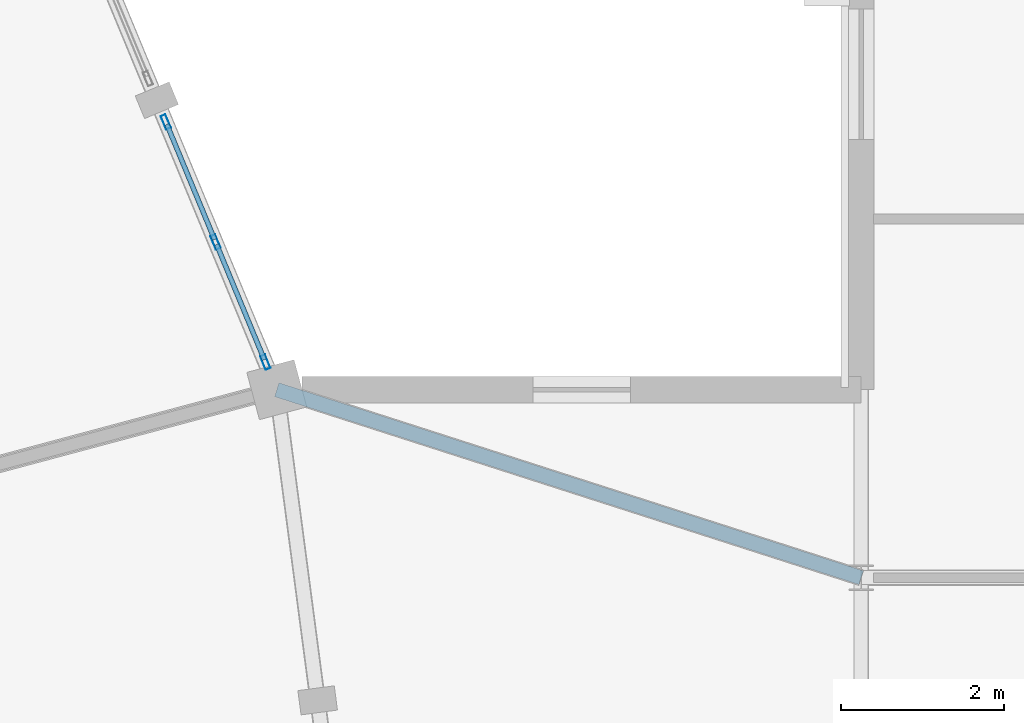
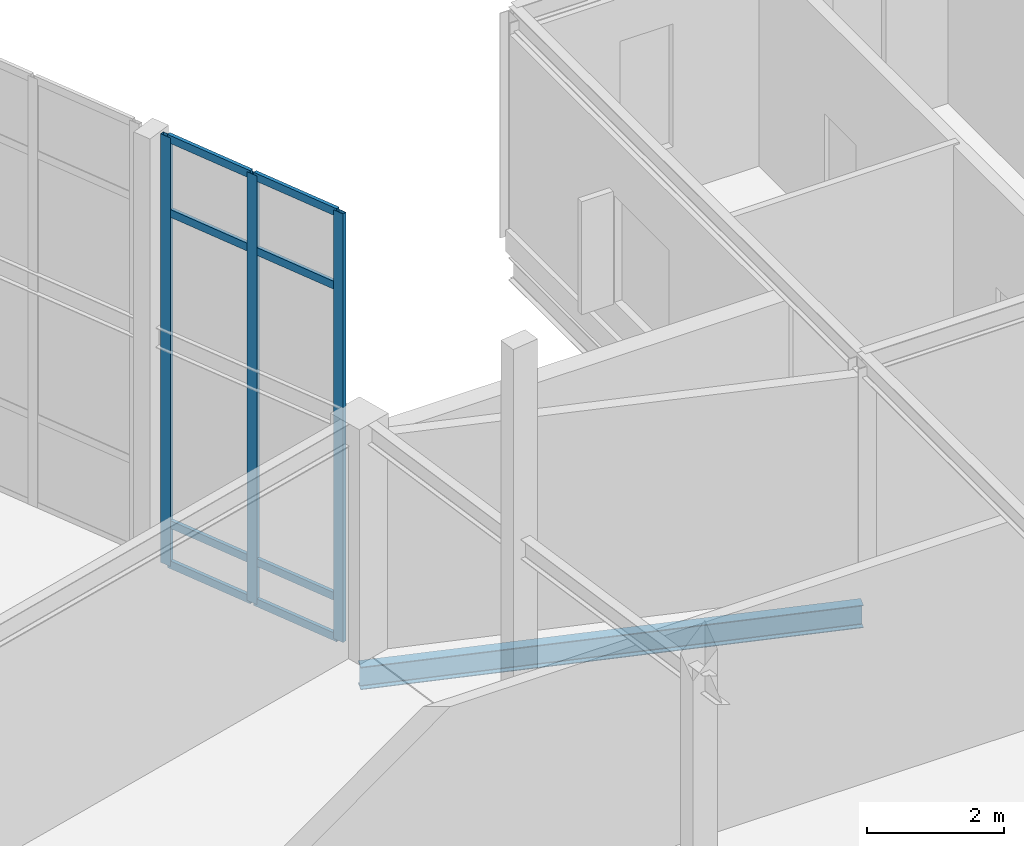
# One storey, part 124 of 185: 11 members, 1 beam, 1 element without a shape of its own.
"""IFC4 building model written with IfcOpenShell, lengths in metres."""

from ifc_helpers import new_model, si_unit, direction, frame, origin, origin_2d, place, context, subcontext, project, spatial, hollow_rectangle, i_section, extrude, material, material_profile, profile_set, type_object, element, aggregate, save


model = new_model("IFC4")

# Units and contexts
model_context = context("Model", 3, precision=1e-05, world=origin(), true_north=direction((0.0, 1.0)))
body_context = subcontext(model_context, "Body", "Model", "MODEL_VIEW")
ifc_project = project(units=[si_unit("LENGTHUNIT", "METRE"), si_unit("AREAUNIT", "SQUARE_METRE"), si_unit("VOLUMEUNIT", "CUBIC_METRE"), si_unit("PLANEANGLEUNIT", "RADIAN"), si_unit("MASSUNIT", "GRAM", prefix="KILO")], contexts=[model_context])

# Site, building, storey
site_placement = place(None, origin())
site = spatial("IfcSite", under=ifc_project, at=site_placement, CompositionType="ELEMENT")
building_placement = place(site_placement, origin())
building = spatial("IfcBuilding", under=site, at=building_placement, Name="Vondelvale Polytechnic", CompositionType="ELEMENT")
storey_placement = place(building_placement, frame((0.0, 0.0, 9.60009765625)))
storey = spatial("IfcBuildingStorey", under=building, at=storey_placement, Name="L02", CompositionType="ELEMENT", Elevation=9.60009765625)

# Beam
ifc_material_1 = material(Name="Steel 300PLUS (fy = 300 MPa)", Category="steel")
ifc_material_profile_1 = material_profile(ifc_material_1, i_section(OverallWidth=0.177978515625, OverallDepth=0.406005859375, WebThickness=0.0078125, FlangeThickness=0.0126953125, FilletRadius=0.011474609375, at=origin_2d()), Name="410UB59.7")
ifc_profile_set_1 = profile_set([ifc_material_profile_1], Name="Steel 300PLUS (fy = 300 MPa)")
beam_type = type_object("IfcBeamType", Name="BM-UB410", PredefinedType="BEAM", material=ifc_profile_set_1)
beam_placement = place(storey_placement, frame((146.4326171875, 83.90576171875, -0.483154296875), z_axis=(0.951957686255, -0.306229592921, 0.0), x_axis=(0.306229592921, 0.951957686255, 0.0)))
element("IfcBeam", 1, at=beam_placement, inside=storey, type_object=beam_type, Name="L02 B B-14", PredefinedType="BEAM", context=body_context, shape_type="SweptSolid", body=[
    extrude(i_section(OverallWidth=0.177978515625, OverallDepth=0.406005859375, WebThickness=0.0078125, FlangeThickness=0.0126953125, FilletRadius=0.011474609375, at=origin_2d()), origin(), (0.0, 0.0, 1.0), 7.529296875),
])

# Curtain wall, members
ifc_material_2 = material(Name="Glulam GL18 structural Tasmanian oak (fb = 42 MPa)", Category="wood")
curtain_wall_type = type_object("IfcCurtainWallType", Name="CW-RING-OUTER", PredefinedType="NOTDEFINED", material=ifc_material_2)
curtain_wall_placement = place(storey_placement, origin())
curtain_wall = element("IfcCurtainWall", 2, at=curtain_wall_placement, inside=storey, type_object=curtain_wall_type, Name="L02 architectural curtain wall CW-04-082", PredefinedType="NOTDEFINED")
ifc_material_3 = material(Name="Anodised extruded aluminium 6063-T6", Category="aluminium")
ifc_material_profile_2 = material_profile(ifc_material_3, hollow_rectangle(XDim=0.06494140625, YDim=0.179931640625, WallThickness=0.00390625, at=origin_2d()), Name="CW-MUL-180x65")
ifc_profile_set_2 = profile_set([ifc_material_profile_2], Name="Anodised extruded aluminium 6063-T6")
member_type_1 = type_object("IfcMemberType", Name="CW-MUL-65x180", PredefinedType="MULLION", material=ifc_profile_set_2)
member_1_placement = place(storey_placement, frame((146.29296875, 84.2431640625, 0.0), z_axis=(0.0, 0.0, 1.0), x_axis=(-0.923882033442, -0.382677394529, 0.0)))
member_1 = element("IfcMember", 3, at=member_1_placement, type_object=member_type_1, Name="CW-04-082 mullion 1", PredefinedType="MULLION", context=body_context, shape_type="SweptSolid", body=[
    extrude(hollow_rectangle(XDim=0.06494140625, YDim=0.179931640625, WallThickness=0.00390625, at=origin_2d()), origin(), (0.0, 0.0, 1.0), 7.661376953125),
])
member_2_placement = place(storey_placement, frame((145.6826171875, 85.716796875, 0.0), z_axis=(0.0, 0.0, 1.0), x_axis=(-0.923882033442, -0.382677394529, 0.0)))
member_2 = element("IfcMember", 4, at=member_2_placement, type_object=member_type_1, Name="CW-04-082 mullion 2", PredefinedType="MULLION", context=body_context, shape_type="SweptSolid", body=[
    extrude(hollow_rectangle(XDim=0.06494140625, YDim=0.179931640625, WallThickness=0.00390625, at=origin_2d()), origin(), (0.0, 0.0, 1.0), 7.661376953125),
])
member_3_placement = place(storey_placement, frame((145.072021484375, 87.190185546875, 0.0), z_axis=(0.0, 0.0, 1.0), x_axis=(-0.923882033442, -0.382677394529, 0.0)))
member_3 = element("IfcMember", 5, at=member_3_placement, type_object=member_type_1, Name="CW-04-082 mullion 3", PredefinedType="MULLION", context=body_context, shape_type="SweptSolid", body=[
    extrude(hollow_rectangle(XDim=0.06494140625, YDim=0.179931640625, WallThickness=0.00390625, at=origin_2d()), origin(), (0.0, 0.0, 1.0), 7.661376953125),
])
ifc_material_profile_3 = material_profile(ifc_material_3, hollow_rectangle(XDim=0.06005859375, YDim=0.139892578125, WallThickness=0.00341796875, at=origin_2d()), Name="CW-TRN-140x60")
ifc_profile_set_3 = profile_set([ifc_material_profile_3], Name="Anodised extruded aluminium 6063-T6")
member_type_2 = type_object("IfcMemberType", Name="CW-TRN-60x140", PredefinedType="USERDEFINED", material=ifc_profile_set_3)
member_4_placement = place(storey_placement, frame((146.280517578125, 84.273193359375, 0.02978515625), z_axis=(-0.382779237206, 0.923839843027, 0.0), x_axis=(-0.923839843027, -0.382779237206, 0.0)))
member_4 = element("IfcMember", 6, at=member_4_placement, type_object=member_type_2, Name="CW-04-082 transom 1.1", ObjectType="TRANSOM", PredefinedType="USERDEFINED", context=body_context, shape_type="SweptSolid", body=[
    extrude(hollow_rectangle(XDim=0.06005859375, YDim=0.139892578125, WallThickness=0.00341796875, at=origin_2d()), origin(), (0.0, 0.0, 1.0), 1.530029296875),
])
member_5_placement = place(storey_placement, frame((146.280517578125, 84.273193359375, 0.75), z_axis=(-0.382779237206, 0.923839843027, 0.0), x_axis=(-0.923839843027, -0.382779237206, 0.0)))
member_5 = element("IfcMember", 7, at=member_5_placement, type_object=member_type_2, Name="CW-04-082 transom 1.2", ObjectType="TRANSOM", PredefinedType="USERDEFINED", context=body_context, shape_type="SweptSolid", body=[
    extrude(hollow_rectangle(XDim=0.06005859375, YDim=0.139892578125, WallThickness=0.00341796875, at=origin_2d()), origin(), (0.0, 0.0, 1.0), 1.530029296875),
])
member_6_placement = place(storey_placement, frame((146.280517578125, 84.273193359375, 6.311279296875), z_axis=(-0.382779237206, 0.923839843027, 0.0), x_axis=(-0.923839843027, -0.382779237206, 0.0)))
member_6 = element("IfcMember", 8, at=member_6_placement, type_object=member_type_2, Name="CW-04-082 transom 1.3", ObjectType="TRANSOM", PredefinedType="USERDEFINED", context=body_context, shape_type="SweptSolid", body=[
    extrude(hollow_rectangle(XDim=0.06005859375, YDim=0.139892578125, WallThickness=0.00341796875, at=origin_2d()), origin(), (0.0, 0.0, 1.0), 1.530029296875),
])
member_7_placement = place(storey_placement, frame((146.280517578125, 84.273193359375, 7.63134765625), z_axis=(-0.382779237206, 0.923839843027, 0.0), x_axis=(-0.923839843027, -0.382779237206, 0.0)))
member_7 = element("IfcMember", 9, at=member_7_placement, type_object=member_type_2, Name="CW-04-082 transom 1.4", ObjectType="TRANSOM", PredefinedType="USERDEFINED", context=body_context, shape_type="SweptSolid", body=[
    extrude(hollow_rectangle(XDim=0.06005859375, YDim=0.139892578125, WallThickness=0.00341796875, at=origin_2d()), origin(), (0.0, 0.0, 1.0), 1.530029296875),
])
member_8_placement = place(storey_placement, frame((145.670166015625, 85.746826171875, 0.02978515625), z_axis=(-0.382835668721, 0.923816459452, 0.0), x_axis=(-0.923816459452, -0.382835668721, 0.0)))
member_8 = element("IfcMember", 10, at=member_8_placement, type_object=member_type_2, Name="CW-04-082 transom 2.1", ObjectType="TRANSOM", PredefinedType="USERDEFINED", context=body_context, shape_type="SweptSolid", body=[
    extrude(hollow_rectangle(XDim=0.06005859375, YDim=0.139892578125, WallThickness=0.00341796875, at=origin_2d()), origin(), (0.0, 0.0, 1.0), 1.52978515625),
])
member_9_placement = place(storey_placement, frame((145.670166015625, 85.746826171875, 0.75), z_axis=(-0.382835668721, 0.923816459452, 0.0), x_axis=(-0.923816459452, -0.382835668721, 0.0)))
member_9 = element("IfcMember", 11, at=member_9_placement, type_object=member_type_2, Name="CW-04-082 transom 2.2", ObjectType="TRANSOM", PredefinedType="USERDEFINED", context=body_context, shape_type="SweptSolid", body=[
    extrude(hollow_rectangle(XDim=0.06005859375, YDim=0.139892578125, WallThickness=0.00341796875, at=origin_2d()), origin(), (0.0, 0.0, 1.0), 1.52978515625),
])
member_10_placement = place(storey_placement, frame((145.670166015625, 85.746826171875, 6.311279296875), z_axis=(-0.382835668721, 0.923816459452, 0.0), x_axis=(-0.923816459452, -0.382835668721, 0.0)))
member_10 = element("IfcMember", 12, at=member_10_placement, type_object=member_type_2, Name="CW-04-082 transom 2.3", ObjectType="TRANSOM", PredefinedType="USERDEFINED", context=body_context, shape_type="SweptSolid", body=[
    extrude(hollow_rectangle(XDim=0.06005859375, YDim=0.139892578125, WallThickness=0.00341796875, at=origin_2d()), origin(), (0.0, 0.0, 1.0), 1.52978515625),
])
member_11_placement = place(storey_placement, frame((145.670166015625, 85.746826171875, 7.63134765625), z_axis=(-0.382835668721, 0.923816459452, 0.0), x_axis=(-0.923816459452, -0.382835668721, 0.0)))
member_11 = element("IfcMember", 13, at=member_11_placement, type_object=member_type_2, Name="CW-04-082 transom 2.4", ObjectType="TRANSOM", PredefinedType="USERDEFINED", context=body_context, shape_type="SweptSolid", body=[
    extrude(hollow_rectangle(XDim=0.06005859375, YDim=0.139892578125, WallThickness=0.00341796875, at=origin_2d()), origin(), (0.0, 0.0, 1.0), 1.52978515625),
])
aggregate(curtain_wall, [member_1, member_2, member_3, member_4, member_5, member_6, member_7, member_8, member_9, member_10, member_11])

save(model, "model.ifc")
